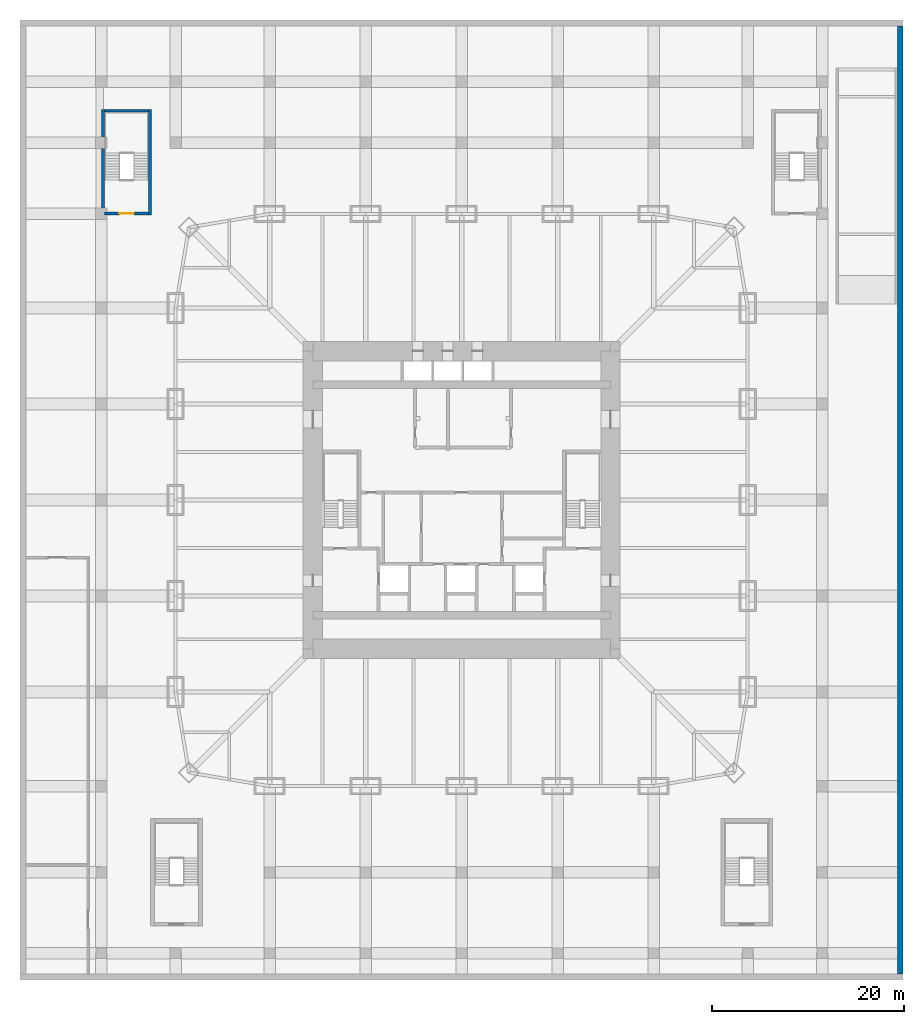
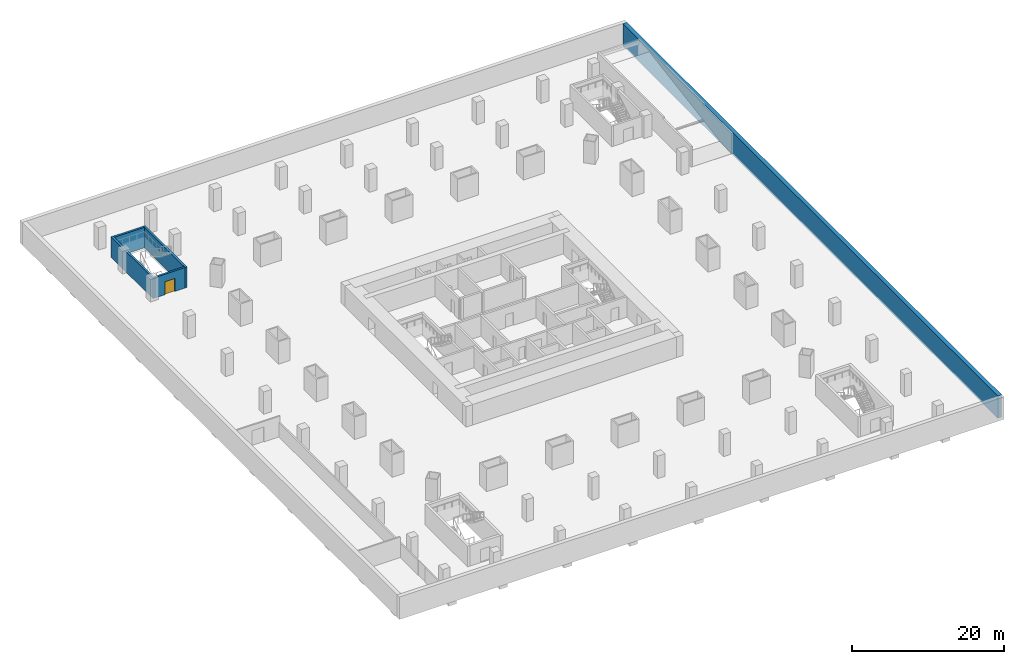
# One storey, part 7 of 11: 5 walls, 1 door, 1 opening.
"""IFC4 building model written with IfcOpenShell, lengths in metres."""

import ifcopenshell
import ifcopenshell.guid

model = None  # the IFC model being written
_history = None  # IfcOwnerHistory: only IFC2X3 demands one
_inside = {}  # id of a spatial element -> (the spatial element, [elements in it])
_under = {}  # id of a project, library or spatial element -> (it, [spatial elements below it])
_declared = {}  # id of a project -> (the project, [libraries it declares])
_typed = {}  # id of a type object -> (the type object, [elements of that type])
_made_of = {}  # id of a material, layer set ... -> (it, [elements and type objects made of it])


def new_model(schema):
    """Start an empty IFC model of exactly this schema.

    Asked for "IFC4X3", IfcOpenShell would pick the latest addendum, in which some entities
    have other attributes; the version numbers below select the first issue.
    IFC2X3 requires an IfcOwnerHistory on every rooted entity: one is made here for all.
    """
    global model, _history
    if schema == "IFC4X3":
        model = ifcopenshell.file(schema_version=(4, 3, 0, 0))
    else:
        model = ifcopenshell.file(schema=schema)
    _inside.clear()
    _under.clear()
    _declared.clear()
    _typed.clear()
    _made_of.clear()
    _history = None
    if model.schema == "IFC2X3":
        org = make("IfcOrganization", Name="unknown")
        user = make(
            "IfcPersonAndOrganization",
            ThePerson=make("IfcPerson", FamilyName="unknown"),
            TheOrganization=org,
        )
        app = make(
            "IfcApplication",
            ApplicationDeveloper=org,
            Version="unknown",
            ApplicationFullName="unknown",
            ApplicationIdentifier="unknown",
        )
        _history = make(
            "IfcOwnerHistory",
            OwningUser=user,
            OwningApplication=app,
            ChangeAction="ADDED",
            CreationDate=0,
        )
    return model


def make(cls, **values):
    """One entity of the class cls with the attributes given. An attribute that is None is left unset."""
    return model.create_entity(
        cls, **{name: value for name, value in values.items() if value is not None}
    )


def rooted(cls, **values):
    """An entity with a GlobalId (a new one), such as an element, a storey or a relation."""
    return make(cls, GlobalId=ifcopenshell.guid.new(), OwnerHistory=_history, **values)


def si_unit(unit_type, name, prefix=None):
    """IfcSIUnit, for example si_unit("LENGTHUNIT", "METRE", prefix="MILLI")."""
    return make("IfcSIUnit", UnitType=unit_type, Prefix=prefix, Name=name)


def assignment(units):
    """IfcUnitAssignment: the units of a project."""
    return None if units is None else make("IfcUnitAssignment", Units=units)


def point(xyz):
    """IfcCartesianPoint."""
    return None if xyz is None else make("IfcCartesianPoint", Coordinates=xyz)


def direction(xyz):
    """IfcDirection."""
    return None if xyz is None else make("IfcDirection", DirectionRatios=xyz)


def frame(location, z_axis=None, x_axis=None):
    """IfcAxis2Placement3D, a coordinate frame: its origin and axes. An axis left out is left unset."""
    return make(
        "IfcAxis2Placement3D",
        Location=point(location),
        Axis=direction(z_axis),
        RefDirection=direction(x_axis),
    )


def frame_2d(location, x_axis=None):
    """IfcAxis2Placement2D, a coordinate frame in the plane: its origin and x axis."""
    return make(
        "IfcAxis2Placement2D", Location=point(location), RefDirection=direction(x_axis)
    )


def origin():
    """The frame at (0, 0, 0) with its axes left unset."""
    return frame((0.0, 0.0, 0.0))


def place(relative_to, where):
    """IfcLocalPlacement: puts the frame where relative to a parent placement (None: the world)."""
    return make(
        "IfcLocalPlacement", PlacementRelTo=relative_to, RelativePlacement=where
    )


def context(
    kind, dimensions, precision=None, world=None, true_north=None, identifier=None
):
    """IfcGeometricRepresentationContext, for example the 3D "Model" context."""
    return make(
        "IfcGeometricRepresentationContext",
        ContextIdentifier=identifier,
        ContextType=kind,
        CoordinateSpaceDimension=dimensions,
        Precision=precision,
        WorldCoordinateSystem=world,
        TrueNorth=true_north,
    )


def subcontext(parent, identifier, kind, view, scale=None):
    """IfcGeometricRepresentationSubContext, for example "Body" below "Model"."""
    return make(
        "IfcGeometricRepresentationSubContext",
        ContextIdentifier=identifier,
        ContextType=kind,
        ParentContext=parent,
        TargetScale=scale,
        TargetView=view,
    )


def project(units=None, contexts=None):
    """IfcProject with its units and contexts."""
    return rooted(
        "IfcProject",
        Name="project",
        RepresentationContexts=contexts,
        UnitsInContext=assignment(units),
    )


def spatial(cls, under=None, at=None, **own):
    """A site, building, storey or space (cls), placed at a placement, below another one or the project."""
    s = rooted(cls, ObjectPlacement=at, **own)
    if under is not None:
        _under.setdefault(under.id(), (under, []))[1].append(s)
    return s


def profile(cls, at=None, kind="AREA", **sizes):
    """A parametric profile (cls). Its sizes go by their IFC names, for example OverallWidth=200.0."""
    return make(cls, ProfileType=kind, Position=at, **sizes)


def rectangle(**sizes):
    """IfcRectangleProfileDef."""
    return profile("IfcRectangleProfileDef", **sizes)


def extrude(swept, where, along, depth):
    """IfcExtrudedAreaSolid: the profile swept, set in the frame where, extruded along a direction by depth."""
    return make(
        "IfcExtrudedAreaSolid",
        SweptArea=swept,
        Position=where,
        ExtrudedDirection=direction(along),
        Depth=depth,
    )


def shape(context_of_items, identifier, shape_type, items):
    """IfcShapeRepresentation: the items that make up one representation, for example the "Body"."""
    return make(
        "IfcShapeRepresentation",
        ContextOfItems=context_of_items,
        RepresentationIdentifier=identifier,
        RepresentationType=shape_type,
        Items=items,
    )


def material(Name=None, Category=None):
    """IfcMaterial."""
    return make("IfcMaterial", Name=Name, Category=Category)


def layer(
    of_material, thickness, ventilated=None, Name=None, Category=None, Priority=None
):
    """IfcMaterialLayer: one layer of a wall or slab, of a material (None: an air gap)."""
    return make(
        "IfcMaterialLayer",
        Material=of_material,
        LayerThickness=thickness,
        IsVentilated=ventilated,
        Name=Name,
        Category=Category,
        Priority=Priority,
    )


def layer_set(layers, Name=None):
    """IfcMaterialLayerSet."""
    return make("IfcMaterialLayerSet", MaterialLayers=layers, LayerSetName=Name)


def made_of(thing, what):
    """Note that an element or type object is made of a material, layer set ...; save() writes the relation."""
    if what is not None:
        _made_of.setdefault(what.id(), (what, []))[1].append(thing)
    return thing


def type_object(cls, material=None, **own):
    """A type object (cls), such as IfcWallType, which elements share."""
    return made_of(rooted(cls, **own), material)


def element(
    cls,
    number,
    at=None,
    inside=None,
    cuts=None,
    type_object=None,
    material=None,
    context=None,
    identifier="Body",
    shape_type=None,
    held_by="IfcProductDefinitionShape",
    body=None,
    shapes=None,
    **own,
):
    """One element of the class cls, such as IfcWall. Its Tag is "e" and its number.

    at: its placement. inside: the storey or other place that contains it. cuts: it is an
    opening in that element (IfcRelVoidsElement). A single representation is given by context,
    identifier, shape_type and body (its items); several are given by shapes. held_by: the class
    of the entity that holds the representations. save() writes the other relations.
    """
    e = rooted(cls, Tag="e%d" % number, ObjectPlacement=at, **own)
    if body is not None:
        shapes = [shape(context, identifier, shape_type, body)]
    if shapes is not None:
        e.Representation = make(held_by, Representations=shapes)
    if inside is not None:
        _inside.setdefault(inside.id(), (inside, []))[1].append(e)
    if cuts is not None:
        rooted(
            "IfcRelVoidsElement", RelatingBuildingElement=cuts, RelatedOpeningElement=e
        )
    if type_object is not None:
        _typed.setdefault(type_object.id(), (type_object, []))[1].append(e)
    return made_of(e, material)


def fill(opening, filler):
    """IfcRelFillsElement: the door or window that sits in an opening."""
    return rooted(
        "IfcRelFillsElement",
        RelatingOpeningElement=opening,
        RelatedBuildingElement=filler,
    )


def aggregate(whole, parts):
    """IfcRelAggregates: a whole, such as a stair, and the parts it consists of."""
    return rooted("IfcRelAggregates", RelatingObject=whole, RelatedObjects=parts)


def save(model, path):
    """Write the relations noted so far, then the file.

    IfcRelAggregates (storeys below a building ...), IfcRelContainedInSpatialStructure (elements
    in a storey), IfcRelDefinesByType, IfcRelAssociatesMaterial and IfcRelDeclares: one each for
    every whole, place, type object, material and project.
    """
    for whole, parts in _under.values():
        aggregate(whole, parts)
    for where, things in _inside.values():
        rooted(
            "IfcRelContainedInSpatialStructure",
            RelatedElements=things,
            RelatingStructure=where,
        )
    for kind, things in _typed.values():
        rooted("IfcRelDefinesByType", RelatedObjects=things, RelatingType=kind)
    for what, things in _made_of.values():
        rooted("IfcRelAssociatesMaterial", RelatedObjects=things, RelatingMaterial=what)
    for by, libraries in _declared.values():
        rooted("IfcRelDeclares", RelatingContext=by, RelatedDefinitions=libraries)
    model.write(path)


model = new_model("IFC4")

# Units and contexts
model_context = context("Model", 3, precision=1e-05, world=origin(), true_north=direction((0.0, 1.0)))
body_context = subcontext(model_context, "Body", "Model", "MODEL_VIEW")
ifc_project = project(units=[si_unit("LENGTHUNIT", "METRE"), si_unit("AREAUNIT", "SQUARE_METRE"), si_unit("VOLUMEUNIT", "CUBIC_METRE"), si_unit("PLANEANGLEUNIT", "RADIAN"), si_unit("MASSUNIT", "GRAM", prefix="KILO")], contexts=[model_context])

# Site, building, storey
site_placement = place(None, origin())
site = spatial("IfcSite", under=ifc_project, at=site_placement, CompositionType="ELEMENT")
building_placement = place(site_placement, origin())
building = spatial("IfcBuilding", under=site, at=building_placement, Name="Khuree Lantern Residences", CompositionType="ELEMENT")
storey_placement = place(building_placement, frame((0.0, 0.0, -9.0)))
storey = spatial("IfcBuildingStorey", under=building, at=storey_placement, Name="B2", CompositionType="ELEMENT", Elevation=-9.0)

# Walls
ifc_material_1 = material(Name="Concrete C40/50", Category="concrete")
ifc_layer_1 = layer(ifc_material_1, 0.60009765625)
ifc_layer_set_1 = layer_set([ifc_layer_1], Name="RW1 BASEMENT RETAINING WALL 600")
wall_type_1 = type_object("IfcWallType", Name="RW1 BASEMENT RETAINING WALL 600", PredefinedType="SOLIDWALL", material=ifc_layer_set_1)
wall_1_placement = place(storey_placement, frame((45.699951171875, -49.39990234375, -0.300048828125), z_axis=(0.0, 0.0, 1.0), x_axis=(0.0, 1.0, 0.0)))
element("IfcWall", 1, at=wall_1_placement, inside=storey, type_object=wall_type_1, Name="Retaining wall E", PredefinedType="SOLIDWALL", context=body_context, shape_type="SweptSolid", body=[
    extrude(rectangle(XDim=98.7998046875, YDim=0.60009765625, at=frame_2d((49.39990234375, 0.0))), origin(), (0.0, 0.0, 1.0), 3.60009765625),
])
ifc_material_2 = material(Name="Concrete C50/60", Category="concrete")
ifc_layer_2 = layer(ifc_material_2, 0.300048828125)
ifc_layer_set_2 = layer_set([ifc_layer_2], Name="STAIR WALL SRW300 C50/60 REI 240")
wall_type_2 = type_object("IfcWallType", Name="STAIR WALL SRW300 C50/60 REI 240", PredefinedType="SOLIDWALL", material=ifc_layer_set_2)
wall_2_placement = place(storey_placement, frame((-37.35009765625, 29.699951171875, 0.0), z_axis=(0.0, 0.0, 1.0), x_axis=(0.0, 1.0, 0.0)))
element("IfcWall", 2, at=wall_2_placement, inside=storey, type_object=wall_type_2, Name="B2 STAIR ST3 WALL O", PredefinedType="SOLIDWALL", context=body_context, shape_type="SweptSolid", body=[
    extrude(rectangle(XDim=11.0, YDim=0.300048828125, at=frame_2d((5.5, 0.0))), origin(), (0.0, 0.0, 1.0), 3.300048828125),
])

# Wall, opening, door
wall_3_placement = place(storey_placement, frame((-37.199951171875, 29.85009765625, 0.0), z_axis=(0.0, 0.0, 1.0), x_axis=(1.0, 0.0, 0.0)))
wall_3 = element("IfcWall", 3, at=wall_3_placement, inside=storey, type_object=wall_type_2, Name="B2 STAIR ST3 WALL S", PredefinedType="SOLIDWALL", context=body_context, shape_type="SweptSolid", body=[
    extrude(rectangle(XDim=4.599853515625, YDim=0.300048828125, at=frame_2d((2.2998046875, 0.0))), origin(), (0.0, 0.0, 1.0), 3.300048828125),
])
opening_placement = place(wall_3_placement, frame((1.550048828125, 0.0, 0.0)))
opening = element("IfcOpeningElement", 4, at=opening_placement, cuts=wall_3, Name="Opening B2-024", PredefinedType="OPENING", context=body_context, shape_type="SweptSolid", body=[
    extrude(rectangle(XDim=1.5, YDim=2.10009765625, at=frame_2d((0.75, 1.050048828125))), frame((0.0, 0.16015625, 0.0), z_axis=(0.0, -1.0, 0.0), x_axis=(1.0, 0.0, 0.0)), (0.0, 0.0, 1.0), 0.320068359375),
])
ifc_material_3 = material(Name="Steel door leaf in steel frame", Category="steel")
door_type = type_object("IfcDoorType", Name="STAIR DOOR 1500X2100 EI 120", OperationType="DOUBLE_DOOR_SINGLE_SWING", PredefinedType="DOOR", material=ifc_material_3)
door_placement = place(opening_placement, origin())
door = element("IfcDoor", 5, at=door_placement, inside=storey, type_object=door_type, Name="Stair ST3 door B2-024", OperationType="DOUBLE_DOOR_SINGLE_SWING", OverallHeight=2.10009765625, OverallWidth=1.5, PredefinedType="DOOR", context=body_context, shape_type="SweptSolid", body=[
    extrude(rectangle(XDim=1.5, YDim=2.10009765625, at=frame_2d((0.75, 1.050048828125))), frame((0.0, 0.02490234375, 0.0), z_axis=(0.0, -1.0, 0.0), x_axis=(1.0, 0.0, 0.0)), (0.0, 0.0, 1.0), 0.050048828125),
])
fill(opening, door)

# Walls
wall_4_placement = place(storey_placement, frame((-32.449951171875, 29.699951171875, 0.0), z_axis=(0.0, 0.0, 1.0), x_axis=(0.0, 1.0, 0.0)))
element("IfcWall", 6, at=wall_4_placement, inside=storey, type_object=wall_type_2, Name="B2 STAIR ST3 WALL I", PredefinedType="SOLIDWALL", context=body_context, shape_type="SweptSolid", body=[
    extrude(rectangle(XDim=11.0, YDim=0.300048828125, at=frame_2d((5.5, 0.0))), origin(), (0.0, 0.0, 1.0), 3.300048828125),
])
wall_5_placement = place(storey_placement, frame((-37.199951171875, 40.550048828125, 0.0), z_axis=(0.0, 0.0, 1.0), x_axis=(1.0, 0.0, 0.0)))
element("IfcWall", 7, at=wall_5_placement, inside=storey, type_object=wall_type_2, Name="B2 STAIR ST3 WALL N", PredefinedType="SOLIDWALL", context=body_context, shape_type="SweptSolid", body=[
    extrude(rectangle(XDim=4.599853515625, YDim=0.300048828125, at=frame_2d((2.2998046875, 0.0))), origin(), (0.0, 0.0, 1.0), 3.300048828125),
])

save(model, "model.ifc")
